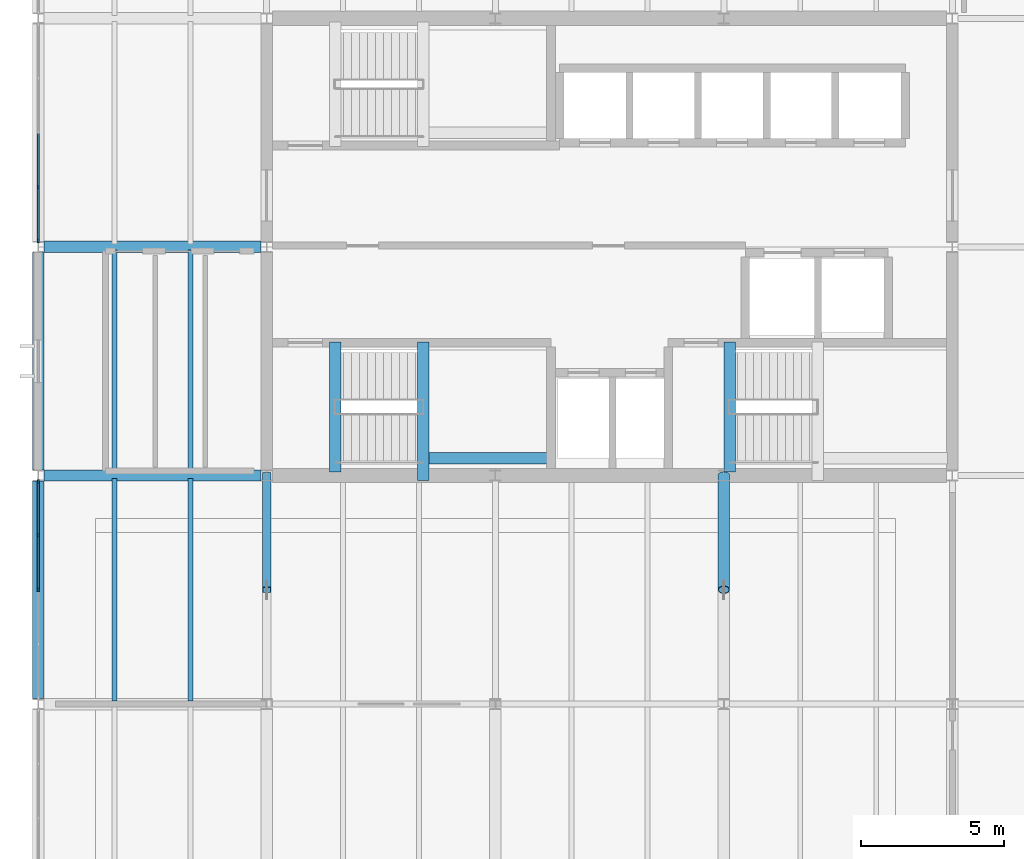
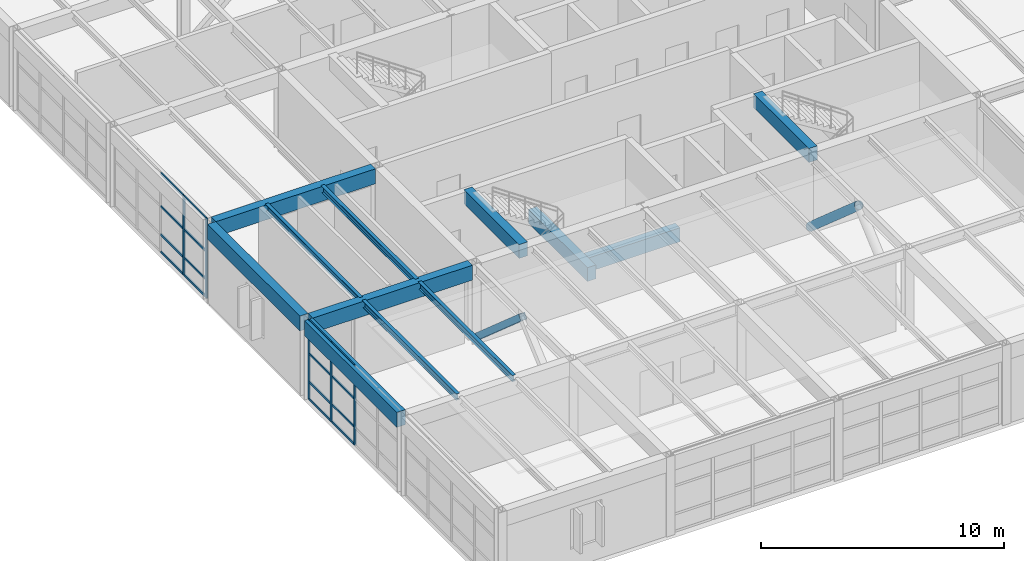
# One storey, part 9 of 48: 23 members, 12 beams, 2 elements without a shape of their own.
"""IFC4 building model written with IfcOpenShell, lengths in metres."""

from ifc_helpers import new_model, si_unit, direction, frame, origin, origin_2d, place, context, subcontext, project, spatial, rectangle, hollow_rectangle, hollow_circle, i_section, extrude, material, layer, layer_set, material_profile, profile_set, type_object, element, aggregate, save


model = new_model("IFC4")

# Units and contexts
model_context = context("Model", 3, precision=1e-05, world=origin(), true_north=direction((0.0, 1.0)))
body_context = subcontext(model_context, "Body", "Model", "MODEL_VIEW")
ifc_project = project(units=[si_unit("LENGTHUNIT", "METRE"), si_unit("AREAUNIT", "SQUARE_METRE"), si_unit("VOLUMEUNIT", "CUBIC_METRE"), si_unit("PLANEANGLEUNIT", "RADIAN"), si_unit("MASSUNIT", "GRAM", prefix="KILO")], contexts=[model_context])

# Site, building, storey
site_placement = place(None, origin())
site = spatial("IfcSite", under=ifc_project, at=site_placement, CompositionType="ELEMENT")
building_placement = place(site_placement, origin())
building = spatial("IfcBuilding", under=site, at=building_placement, Name="Varnela Railside Interchange", CompositionType="ELEMENT")
storey_placement = place(building_placement, frame((0.0, 0.0, 11.199951171875)))
storey = spatial("IfcBuildingStorey", under=building, at=storey_placement, Name="L02", CompositionType="ELEMENT", Elevation=11.199951171875)

# Beams
ifc_material_1 = material(Name="Steel AR 350 (350 MPa)", Category="steel")
ifc_material_profile_1 = material_profile(ifc_material_1, i_section(OverallWidth=0.1669921875, OverallDepth=0.31689453125, WebThickness=0.007568359375, FlangeThickness=0.01318359375, at=origin_2d()), Name="W310x52")
ifc_profile_set_1 = profile_set([ifc_material_profile_1], Name="Steel AR 350 (350 MPa)")
beam_type_1 = type_object("IfcBeamType", Name="Composite Long-Span Joist J-03", PredefinedType="JOIST", material=ifc_profile_set_1)
for number, where, z_axis, x_axis, name in (
    (1, (6.669921875, 46.10595703125, 3.841552734375), (0.0, 1.0, 0.0), (-1.0, 0.0, 0.0), "Composite Long-Span Joist J-03 (L02) (BM-1829)"),
    (2, (9.330078125, 46.10595703125, 3.841552734375), (0.0, 1.0, 0.0), (-1.0, 0.0, 0.0), "Composite Long-Span Joist J-03 (L02) (BM-1830)"),
    (3, (6.669921875, 54.10595703125, 3.841552734375), (0.0, 1.0, 0.0), (-1.0, 0.0, 0.0), "Composite Long-Span Joist J-03 (L02) (BM-1831)"),
    (4, (9.330078125, 54.10595703125, 3.841552734375), (0.0, 1.0, 0.0), (-1.0, 0.0, 0.0), "Composite Long-Span Joist J-03 (L02) (BM-1832)"),
):
    element("IfcBeam", number, at=place(storey_placement, frame(where, z_axis=z_axis, x_axis=x_axis)), inside=storey, type_object=beam_type_1, Name=name, PredefinedType="JOIST", context=body_context, shape_type="SweptSolid", body=[
        extrude(i_section(OverallWidth=0.1669921875, OverallDepth=0.31689453125, WebThickness=0.007568359375, FlangeThickness=0.01318359375, at=origin_2d()), origin(), (0.0, 0.0, 1.0), 7.7880859375),
    ])
ifc_material_2 = material(Name="Concrete C40", Category="concrete")
ifc_material_profile_2 = material_profile(ifc_material_2, rectangle(XDim=0.39990234375, YDim=0.699951171875, at=origin_2d()), Name="RC 400x700")
ifc_profile_set_2 = profile_set([ifc_material_profile_2], Name="Concrete C40")
beam_type_2 = type_object("IfcBeamType", Name="Concrete Tie Beam B-01", PredefinedType="BEAM", material=ifc_profile_set_2)
beam_1_placement = place(storey_placement, frame((14.39990234375, 54.1201171875, 3.650146484375), z_axis=(0.0, 1.0, 0.0), x_axis=(-1.0, 0.0, 0.0)))
element("IfcBeam", 5, at=beam_1_placement, inside=storey, type_object=beam_type_2, Name="Concrete Tie Beam B-01 (L02) (BM-2114)", PredefinedType="BEAM", context=body_context, shape_type="SweptSolid", body=[
    extrude(rectangle(XDim=0.39990234375, YDim=0.699951171875, at=origin_2d()), origin(), (0.0, 0.0, 1.0), 4.559814453125),
])
beam_2_placement = place(storey_placement, frame((17.47998046875, 53.820068359375, 1.590087890625), z_axis=(0.0, 1.0, 0.0), x_axis=(-1.0, 0.0, 0.0)))
element("IfcBeam", 6, at=beam_2_placement, inside=storey, type_object=beam_type_2, Name="Concrete Tie Beam B-01 (L02) (BM-2108)", PredefinedType="BEAM", context=body_context, shape_type="SweptSolid", body=[
    extrude(rectangle(XDim=0.39990234375, YDim=0.699951171875, at=origin_2d()), origin(), (0.0, 0.0, 1.0), 4.85986328125),
])
beam_3_placement = place(storey_placement, frame((17.679931640625, 54.60009765625, 1.590087890625), z_axis=(1.0, 0.0, 0.0), x_axis=(0.0, 1.0, 0.0)))
element("IfcBeam", 7, at=beam_3_placement, inside=storey, type_object=beam_type_2, Name="Concrete Tie Beam B-01 (L02) (BM-2102)", PredefinedType="BEAM", context=body_context, shape_type="SweptSolid", body=[
    extrude(rectangle(XDim=0.39990234375, YDim=0.699951171875, at=origin_2d()), origin(), (0.0, 0.0, 1.0), 4.340087890625),
])
beam_4_placement = place(storey_placement, frame((28.199951171875, 54.1201171875, 3.650146484375), z_axis=(0.0, 1.0, 0.0), x_axis=(-1.0, 0.0, 0.0)))
element("IfcBeam", 8, at=beam_4_placement, inside=storey, type_object=beam_type_2, Name="Concrete Tie Beam B-01 (L02) (BM-2115)", PredefinedType="BEAM", context=body_context, shape_type="SweptSolid", body=[
    extrude(rectangle(XDim=0.39990234375, YDim=0.699951171875, at=origin_2d()), origin(), (0.0, 0.0, 1.0), 4.559814453125),
])

# Curtain wall, members
ifc_material_3 = material(Name="Aluminium 6063-T6", Category="aluminium")
ifc_layer = layer(ifc_material_3, 0.035888671875)
ifc_layer_set = layer_set([ifc_layer], Name="Aluminium 6063-T6")
curtain_wall_type = type_object("IfcCurtainWallType", Name="Operations Wing Facade Curtain Wall CW-03", PredefinedType="USERDEFINED", material=ifc_layer_set)
curtain_wall_1_placement = place(storey_placement, origin())
curtain_wall_1 = element("IfcCurtainWall", 9, at=curtain_wall_1_placement, inside=storey, type_object=curtain_wall_type, Name="Curtain Wall CW-03 (L02) (CW-047)", ObjectType="CURTAIN WALL", PredefinedType="USERDEFINED")
ifc_material_profile_3 = material_profile(ifc_material_3, rectangle(XDim=0.06005859375, YDim=0.139892578125, at=origin_2d()), Name="ALU 60x140")
ifc_profile_set_3 = profile_set([ifc_material_profile_3], Name="Aluminium 6063-T6")
member_type_1 = type_object("IfcMemberType", Name="Curtain Wall Mullion ML-01", PredefinedType="MULLION", material=ifc_profile_set_3)
member_1_placement = place(storey_placement, frame((4.0, 62.217529296875, 0.0), z_axis=(0.0, 0.0, 1.0), x_axis=(-1.0, 0.0, 0.0)))
member_1 = element("IfcMember", 10, at=member_1_placement, type_object=member_type_1, Name="CW-03 mullion 1", PredefinedType="MULLION", context=body_context, shape_type="SweptSolid", body=[
    extrude(rectangle(XDim=0.06005859375, YDim=0.139892578125, at=origin_2d()), origin(), (0.0, 0.0, 1.0), 4.0),
])
member_2_placement = place(storey_placement, frame((4.0, 64.09375, 0.0), z_axis=(0.0, 0.0, 1.0), x_axis=(-1.0, 0.0, 0.0)))
member_2 = element("IfcMember", 11, at=member_2_placement, type_object=member_type_1, Name="CW-03 mullion 2", PredefinedType="MULLION", context=body_context, shape_type="SweptSolid", body=[
    extrude(rectangle(XDim=0.06005859375, YDim=0.139892578125, at=origin_2d()), origin(), (0.0, 0.0, 1.0), 4.0),
])

curtain_wall_2_placement = place(storey_placement, origin())
curtain_wall_2 = element("IfcCurtainWall", 12, at=curtain_wall_2_placement, inside=storey, type_object=curtain_wall_type, Name="Curtain Wall CW-03 (L02) (CW-073)", ObjectType="CURTAIN WALL", PredefinedType="USERDEFINED")
member_3_placement = place(storey_placement, frame((4.0, 50.0, 0.0), z_axis=(0.0, 0.0, 1.0), x_axis=(-1.0, 0.0, 0.0)))
member_3 = element("IfcMember", 13, at=member_3_placement, type_object=member_type_1, Name="CW-03 mullion 3", PredefinedType="MULLION", context=body_context, shape_type="SweptSolid", body=[
    extrude(rectangle(XDim=0.06005859375, YDim=0.139892578125, at=origin_2d()), origin(), (0.0, 0.0, 1.0), 4.0),
])
member_4_placement = place(storey_placement, frame((4.0, 51.90625, 0.0), z_axis=(0.0, 0.0, 1.0), x_axis=(-1.0, 0.0, 0.0)))
member_4 = element("IfcMember", 14, at=member_4_placement, type_object=member_type_1, Name="CW-03 mullion 4", PredefinedType="MULLION", context=body_context, shape_type="SweptSolid", body=[
    extrude(rectangle(XDim=0.06005859375, YDim=0.139892578125, at=origin_2d()), origin(), (0.0, 0.0, 1.0), 4.0),
])
member_5_placement = place(storey_placement, frame((4.0, 53.782470703125, 0.0), z_axis=(0.0, 0.0, 1.0), x_axis=(-1.0, 0.0, 0.0)))
member_5 = element("IfcMember", 15, at=member_5_placement, type_object=member_type_1, Name="CW-03 mullion 5", PredefinedType="MULLION", context=body_context, shape_type="SweptSolid", body=[
    extrude(rectangle(XDim=0.06005859375, YDim=0.139892578125, at=origin_2d()), origin(), (0.0, 0.0, 1.0), 4.0),
])

# Member
ifc_material_profile_4 = material_profile(ifc_material_3, rectangle(XDim=0.06005859375, YDim=0.110107421875, at=origin_2d()), Name="ALU 60x110")
ifc_profile_set_4 = profile_set([ifc_material_profile_4], Name="Aluminium 6063-T6")
member_type_2 = type_object("IfcMemberType", Name="Curtain Wall Transom TR-01", PredefinedType="USERDEFINED", material=ifc_profile_set_4)
member_6_placement = place(storey_placement, frame((4.0, 62.24755859375, 0.030029296875), z_axis=(0.0, 1.0, 0.0), x_axis=(-1.0, 0.0, 0.0)))
member_6 = element("IfcMember", 16, at=member_6_placement, type_object=member_type_2, Name="CW-03 transom 1.1", ObjectType="TRANSOM", PredefinedType="USERDEFINED", context=body_context, shape_type="SweptSolid", body=[
    extrude(rectangle(XDim=0.06005859375, YDim=0.110107421875, at=origin_2d()), origin(), (0.0, 0.0, 1.0), 1.816162109375),
])

member_7_placement = place(storey_placement, frame((4.0, 62.24755859375, 0.900146484375), z_axis=(0.0, 1.0, 0.0), x_axis=(-1.0, 0.0, 0.0)))
member_7 = element("IfcMember", 17, at=member_7_placement, type_object=member_type_2, Name="CW-03 transom 1.2", ObjectType="TRANSOM", PredefinedType="USERDEFINED", context=body_context, shape_type="SweptSolid", body=[
    extrude(rectangle(XDim=0.06005859375, YDim=0.110107421875, at=origin_2d()), origin(), (0.0, 0.0, 1.0), 1.816162109375),
])

member_8_placement = place(storey_placement, frame((4.0, 62.24755859375, 2.320068359375), z_axis=(0.0, 1.0, 0.0), x_axis=(-1.0, 0.0, 0.0)))
member_8 = element("IfcMember", 18, at=member_8_placement, type_object=member_type_2, Name="CW-03 transom 1.3", ObjectType="TRANSOM", PredefinedType="USERDEFINED", context=body_context, shape_type="SweptSolid", body=[
    extrude(rectangle(XDim=0.06005859375, YDim=0.110107421875, at=origin_2d()), origin(), (0.0, 0.0, 1.0), 1.816162109375),
])

member_9_placement = place(storey_placement, frame((4.0, 62.24755859375, 3.969970703125), z_axis=(0.0, 1.0, 0.0), x_axis=(-1.0, 0.0, 0.0)))
member_9 = element("IfcMember", 19, at=member_9_placement, type_object=member_type_2, Name="CW-03 transom 1.4", ObjectType="TRANSOM", PredefinedType="USERDEFINED", context=body_context, shape_type="SweptSolid", body=[
    extrude(rectangle(XDim=0.06005859375, YDim=0.110107421875, at=origin_2d()), origin(), (0.0, 0.0, 1.0), 1.816162109375),
])

member_10_placement = place(storey_placement, frame((4.0, 64.123779296875, 0.030029296875), z_axis=(0.0, 1.0, 0.0), x_axis=(-1.0, 0.0, 0.0)))
member_10 = element("IfcMember", 20, at=member_10_placement, type_object=member_type_2, Name="CW-03 transom 2.1", ObjectType="TRANSOM", PredefinedType="USERDEFINED", context=body_context, shape_type="SweptSolid", body=[
    extrude(rectangle(XDim=0.06005859375, YDim=0.110107421875, at=origin_2d()), origin(), (0.0, 0.0, 1.0), 1.84619140625),
])

member_11_placement = place(storey_placement, frame((4.0, 64.123779296875, 0.900146484375), z_axis=(0.0, 1.0, 0.0), x_axis=(-1.0, 0.0, 0.0)))
member_11 = element("IfcMember", 21, at=member_11_placement, type_object=member_type_2, Name="CW-03 transom 2.2", ObjectType="TRANSOM", PredefinedType="USERDEFINED", context=body_context, shape_type="SweptSolid", body=[
    extrude(rectangle(XDim=0.06005859375, YDim=0.110107421875, at=origin_2d()), origin(), (0.0, 0.0, 1.0), 1.84619140625),
])

member_12_placement = place(storey_placement, frame((4.0, 64.123779296875, 2.320068359375), z_axis=(0.0, 1.0, 0.0), x_axis=(-1.0, 0.0, 0.0)))
member_12 = element("IfcMember", 22, at=member_12_placement, type_object=member_type_2, Name="CW-03 transom 2.3", ObjectType="TRANSOM", PredefinedType="USERDEFINED", context=body_context, shape_type="SweptSolid", body=[
    extrude(rectangle(XDim=0.06005859375, YDim=0.110107421875, at=origin_2d()), origin(), (0.0, 0.0, 1.0), 1.84619140625),
])

member_13_placement = place(storey_placement, frame((4.0, 64.123779296875, 3.969970703125), z_axis=(0.0, 1.0, 0.0), x_axis=(-1.0, 0.0, 0.0)))
member_13 = element("IfcMember", 23, at=member_13_placement, type_object=member_type_2, Name="CW-03 transom 2.4", ObjectType="TRANSOM", PredefinedType="USERDEFINED", context=body_context, shape_type="SweptSolid", body=[
    extrude(rectangle(XDim=0.06005859375, YDim=0.110107421875, at=origin_2d()), origin(), (0.0, 0.0, 1.0), 1.84619140625),
])

aggregate(curtain_wall_1, [member_1, member_2, member_6, member_7, member_8, member_9, member_10, member_11, member_12, member_13])

member_14_placement = place(storey_placement, frame((4.0, 50.030029296875, 0.030029296875), z_axis=(0.0, 1.0, 0.0), x_axis=(-1.0, 0.0, 0.0)))
member_14 = element("IfcMember", 24, at=member_14_placement, type_object=member_type_2, Name="CW-03 transom 3.1", ObjectType="TRANSOM", PredefinedType="USERDEFINED", context=body_context, shape_type="SweptSolid", body=[
    extrude(rectangle(XDim=0.06005859375, YDim=0.110107421875, at=origin_2d()), origin(), (0.0, 0.0, 1.0), 1.84619140625),
])

member_15_placement = place(storey_placement, frame((4.0, 50.030029296875, 0.900146484375), z_axis=(0.0, 1.0, 0.0), x_axis=(-1.0, 0.0, 0.0)))
member_15 = element("IfcMember", 25, at=member_15_placement, type_object=member_type_2, Name="CW-03 transom 3.2", ObjectType="TRANSOM", PredefinedType="USERDEFINED", context=body_context, shape_type="SweptSolid", body=[
    extrude(rectangle(XDim=0.06005859375, YDim=0.110107421875, at=origin_2d()), origin(), (0.0, 0.0, 1.0), 1.84619140625),
])

member_16_placement = place(storey_placement, frame((4.0, 50.030029296875, 2.320068359375), z_axis=(0.0, 1.0, 0.0), x_axis=(-1.0, 0.0, 0.0)))
member_16 = element("IfcMember", 26, at=member_16_placement, type_object=member_type_2, Name="CW-03 transom 3.3", ObjectType="TRANSOM", PredefinedType="USERDEFINED", context=body_context, shape_type="SweptSolid", body=[
    extrude(rectangle(XDim=0.06005859375, YDim=0.110107421875, at=origin_2d()), origin(), (0.0, 0.0, 1.0), 1.84619140625),
])

member_17_placement = place(storey_placement, frame((4.0, 50.030029296875, 3.969970703125), z_axis=(0.0, 1.0, 0.0), x_axis=(-1.0, 0.0, 0.0)))
member_17 = element("IfcMember", 27, at=member_17_placement, type_object=member_type_2, Name="CW-03 transom 3.4", ObjectType="TRANSOM", PredefinedType="USERDEFINED", context=body_context, shape_type="SweptSolid", body=[
    extrude(rectangle(XDim=0.06005859375, YDim=0.110107421875, at=origin_2d()), origin(), (0.0, 0.0, 1.0), 1.84619140625),
])

member_18_placement = place(storey_placement, frame((4.0, 51.936279296875, 0.030029296875), z_axis=(0.0, 1.0, 0.0), x_axis=(-1.0, 0.0, 0.0)))
member_18 = element("IfcMember", 28, at=member_18_placement, type_object=member_type_2, Name="CW-03 transom 4.1", ObjectType="TRANSOM", PredefinedType="USERDEFINED", context=body_context, shape_type="SweptSolid", body=[
    extrude(rectangle(XDim=0.06005859375, YDim=0.110107421875, at=origin_2d()), origin(), (0.0, 0.0, 1.0), 1.816162109375),
])

member_19_placement = place(storey_placement, frame((4.0, 51.936279296875, 0.900146484375), z_axis=(0.0, 1.0, 0.0), x_axis=(-1.0, 0.0, 0.0)))
member_19 = element("IfcMember", 29, at=member_19_placement, type_object=member_type_2, Name="CW-03 transom 4.2", ObjectType="TRANSOM", PredefinedType="USERDEFINED", context=body_context, shape_type="SweptSolid", body=[
    extrude(rectangle(XDim=0.06005859375, YDim=0.110107421875, at=origin_2d()), origin(), (0.0, 0.0, 1.0), 1.816162109375),
])

member_20_placement = place(storey_placement, frame((4.0, 51.936279296875, 2.320068359375), z_axis=(0.0, 1.0, 0.0), x_axis=(-1.0, 0.0, 0.0)))
member_20 = element("IfcMember", 30, at=member_20_placement, type_object=member_type_2, Name="CW-03 transom 4.3", ObjectType="TRANSOM", PredefinedType="USERDEFINED", context=body_context, shape_type="SweptSolid", body=[
    extrude(rectangle(XDim=0.06005859375, YDim=0.110107421875, at=origin_2d()), origin(), (0.0, 0.0, 1.0), 1.816162109375),
])

member_21_placement = place(storey_placement, frame((4.0, 51.936279296875, 3.969970703125), z_axis=(0.0, 1.0, 0.0), x_axis=(-1.0, 0.0, 0.0)))
member_21 = element("IfcMember", 31, at=member_21_placement, type_object=member_type_2, Name="CW-03 transom 4.4", ObjectType="TRANSOM", PredefinedType="USERDEFINED", context=body_context, shape_type="SweptSolid", body=[
    extrude(rectangle(XDim=0.06005859375, YDim=0.110107421875, at=origin_2d()), origin(), (0.0, 0.0, 1.0), 1.816162109375),
])

aggregate(curtain_wall_2, [member_3, member_4, member_5, member_14, member_15, member_16, member_17, member_18, member_19, member_20, member_21])

ifc_material_profile_5 = material_profile(ifc_material_1, hollow_rectangle(XDim=0.300048828125, YDim=0.300048828125, WallThickness=0.01611328125, at=origin_2d()), Name="HSS 300x300x16")
ifc_profile_set_5 = profile_set([ifc_material_profile_5], Name="Steel AR 350 (350 MPa)")
member_type_3 = type_object("IfcMemberType", Name="Lateral Chevron Brace BR-01", PredefinedType="BRACE", material=ifc_profile_set_5)
member_22_placement = place(storey_placement, frame((12.0, 54.0, 0.150146484375), z_axis=(0.0, -0.752576694707, 0.658504607869), x_axis=(1.0, 0.0, 0.0)))
element("IfcMember", 32, at=member_22_placement, inside=storey, type_object=member_type_3, Name="Lateral Chevron Brace BR-01 (L02) (MB-0084)", PredefinedType="BRACE", context=body_context, shape_type="SweptSolid", body=[
    extrude(hollow_rectangle(XDim=0.300048828125, YDim=0.300048828125, WallThickness=0.01611328125, at=origin_2d()), origin(), (0.0, 0.0, 1.0), 5.315185546875),
])

# Beams
ifc_material_4 = material(Name="Concrete C40 precast", Category="concrete")
ifc_material_profile_6 = material_profile(ifc_material_4, rectangle(XDim=0.39990234375, YDim=0.75, at=origin_2d()), Name="PC 400x750")
ifc_profile_set_6 = profile_set([ifc_material_profile_6], Name="Concrete C40 precast")
beam_type_3 = type_object("IfcBeamType", Name="Precast Facade Spandrel SP-03", PredefinedType="SPANDREL", material=ifc_profile_set_6)
for number, where, z_axis, x_axis, name in (
    (33, (4.197021484375, 54.0, 3.625), (1.0, 0.0, 0.0), (0.0, 1.0, 0.0), "Precast Facade Spandrel SP-03 (L02) (BM-1972)"),
    (34, (4.197021484375, 62.0, 3.625), (1.0, 0.0, 0.0), (0.0, 1.0, 0.0), "Precast Facade Spandrel SP-03 (L02) (BM-1983)"),
):
    element("IfcBeam", number, at=place(storey_placement, frame(where, z_axis=z_axis, x_axis=x_axis)), inside=storey, type_object=beam_type_3, Name=name, PredefinedType="SPANDREL", context=body_context, shape_type="SweptSolid", body=[
        extrude(rectangle(XDim=0.39990234375, YDim=0.75, at=origin_2d()), origin(), (0.0, 0.0, 1.0), 7.60400390625),
    ])
for number, where, z_axis, x_axis, name in (
    (35, (4.0, 46.1875, 3.625), (0.0, 1.0, 0.0), (-1.0, 0.0, 0.0), "Precast Facade Spandrel SP-03 (L02) (BM-2051)"),
    (36, (4.0, 54.1875, 3.625), (0.0, 1.0, 0.0), (-1.0, 0.0, 0.0), "Precast Facade Spandrel SP-03 (L02) (BM-2052)"),
):
    element("IfcBeam", number, at=place(storey_placement, frame(where, z_axis=z_axis, x_axis=x_axis)), inside=storey, type_object=beam_type_3, Name=name, PredefinedType="SPANDREL", context=body_context, shape_type="SweptSolid", body=[
        extrude(rectangle(XDim=0.39990234375, YDim=0.75, at=origin_2d()), origin(), (0.0, 0.0, 1.0), 7.625),
    ])

# Member
ifc_material_profile_7 = material_profile(ifc_material_1, hollow_circle(Radius=0.203125, WallThickness=0.02001953125, at=origin_2d()), Name="CHS 406.4x20")
ifc_profile_set_7 = profile_set([ifc_material_profile_7], Name="Steel AR 350 (350 MPa)")
member_type_4 = type_object("IfcMemberType", Name="Tubular Mega Brace BR-09", PredefinedType="BRACE", material=ifc_profile_set_7)
member_23_placement = place(storey_placement, frame((28.0, 54.0, 0.150146484375), z_axis=(0.0, -0.752576694707, 0.658504607869), x_axis=(1.0, 0.0, 0.0)))
element("IfcMember", 37, at=member_23_placement, inside=storey, type_object=member_type_4, Name="Tubular Mega Brace BR-09 (L02) (MB-0086)", PredefinedType="BRACE", context=body_context, shape_type="SweptSolid", body=[
    extrude(hollow_circle(Radius=0.203125, WallThickness=0.02001953125, at=origin_2d()), origin(), (0.0, 0.0, 1.0), 5.315185546875),
])

save(model, "model.ifc")
